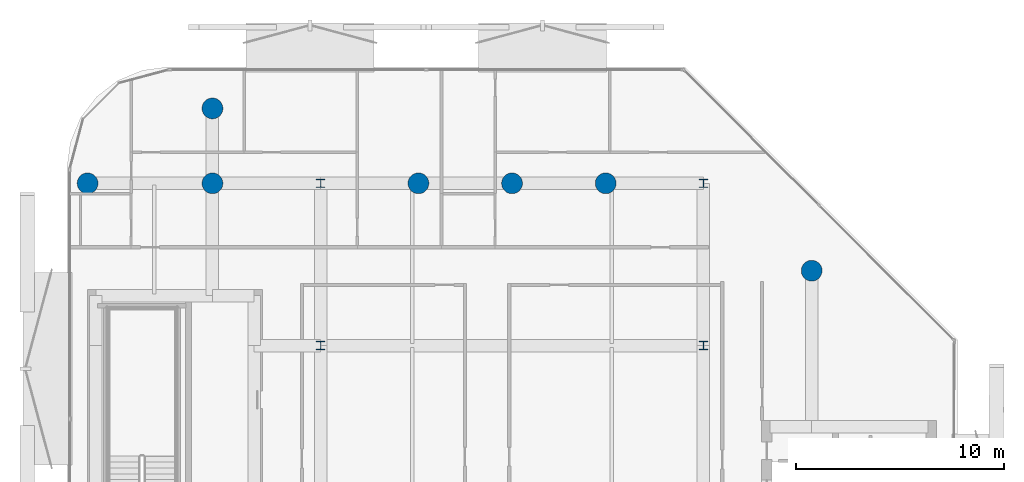
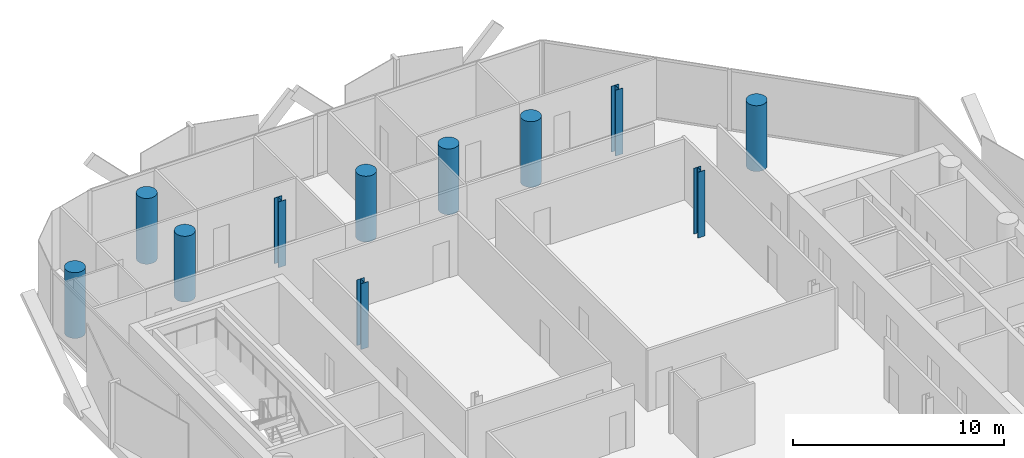
# One storey, part 2 of 16: 11 columns.
"""IFC4 building model written with IfcOpenShell, lengths in metres."""

from ifc_helpers import new_model, si_unit, direction, frame, origin, origin_2d, place, context, subcontext, project, spatial, circle, i_section, extrude, material, material_profile, profile_set, type_object, element, save


model = new_model("IFC4")

# Units and contexts
model_context = context("Model", 3, precision=1e-05, world=origin(), true_north=direction((0.0, 1.0)))
body_context = subcontext(model_context, "Body", "Model", "MODEL_VIEW")
ifc_project = project(units=[si_unit("LENGTHUNIT", "METRE"), si_unit("AREAUNIT", "SQUARE_METRE"), si_unit("VOLUMEUNIT", "CUBIC_METRE"), si_unit("PLANEANGLEUNIT", "RADIAN"), si_unit("MASSUNIT", "GRAM", prefix="KILO")], contexts=[model_context])

# Site, building, storey
site_placement = place(None, origin())
site = spatial("IfcSite", under=ifc_project, at=site_placement, CompositionType="ELEMENT")
building_placement = place(site_placement, origin())
building = spatial("IfcBuilding", under=site, at=building_placement, Name="Khairoan Windgate Tower", CompositionType="ELEMENT")
storey_placement = place(building_placement, frame((0.0, 0.0, 296.60009765625)))
storey = spatial("IfcBuildingStorey", under=building, at=storey_placement, Name="L71", CompositionType="ELEMENT", Elevation=296.60009765625)

# Columns
ifc_material_1 = material(Name="Concrete C60/75", Category="concrete")
ifc_material_profile_1 = material_profile(ifc_material_1, circle(Radius=0.5, at=origin_2d()))
ifc_profile_set_1 = profile_set([ifc_material_profile_1], Name="Concrete C60/75")
column_type_1 = type_object("IfcColumnType", Name="Column C-P1 RC-D1000", PredefinedType="COLUMN", material=ifc_profile_set_1)
for number, where, z_axis, x_axis, name in (
    (1, (-20.39990234375, 18.60009765625, 0.0), (0.0, 0.0, 1.0), (1.0, 0.0, 0.0), "Column L71-11"),
    (2, (-14.39990234375, 18.60009765625, 0.0), (0.0, 0.0, 1.0), (1.0, 0.0, 0.0), "Column L71-14"),
    (3, (14.39990234375, 14.39990234375, 0.0), (0.0, 0.0, 1.0), (1.0, 0.0, 0.0), "Column L71-16"),
    (4, (-4.5, 18.60009765625, 0.0), (0.0, 0.0, 1.0), (1.0, 0.0, 0.0), "Column L71-20"),
    (5, (0.0, 18.60009765625, 0.0), (0.0, 0.0, 1.0), (1.0, 0.0, 0.0), "Column L71-21"),
    (6, (4.5, 18.60009765625, 0.0), (0.0, 0.0, 1.0), (1.0, 0.0, 0.0), "Column L71-22"),
    (7, (-14.39990234375, 22.199951171875, 0.0), (0.0, 0.0, 1.0), (1.0, 0.0, 0.0), "Column L71-28"),
):
    element("IfcColumn", number, at=place(storey_placement, frame(where, z_axis=z_axis, x_axis=x_axis)), inside=storey, type_object=column_type_1, Name=name, PredefinedType="COLUMN", context=body_context, shape_type="SweptSolid", body=[
        extrude(circle(Radius=0.5, at=origin_2d()), origin(), (0.0, 0.0, 1.0), 3.7998046875),
    ])
ifc_material_2 = material(Name="Steel S355", Category="steel")
ifc_material_profile_2 = material_profile(ifc_material_2, i_section(OverallWidth=0.39990234375, OverallDepth=0.39990234375, WebThickness=0.012939453125, FlangeThickness=0.02099609375, FilletRadius=0.02197265625, at=origin_2d()))
ifc_profile_set_2 = profile_set([ifc_material_profile_2], Name="Steel S355")
column_type_2 = type_object("IfcColumnType", Name="Steel Column SC4 H400x400x13x21", PredefinedType="COLUMN", material=ifc_profile_set_2)
for number, where, z_axis, x_axis, name in (
    (8, (-9.199951171875, 10.800048828125, 0.0), (0.0, 0.0, 1.0), (1.0, 0.0, 0.0), "Column L71-04"),
    (9, (-9.199951171875, 18.60009765625, 0.0), (0.0, 0.0, 1.0), (1.0, 0.0, 0.0), "Column L71-05"),
    (10, (9.199951171875, 10.800048828125, 0.0), (0.0, 0.0, 1.0), (1.0, 0.0, 0.0), "Column L71-09"),
    (11, (9.199951171875, 18.60009765625, 0.0), (0.0, 0.0, 1.0), (1.0, 0.0, 0.0), "Column L71-10"),
):
    element("IfcColumn", number, at=place(storey_placement, frame(where, z_axis=z_axis, x_axis=x_axis)), inside=storey, type_object=column_type_2, Name=name, PredefinedType="COLUMN", context=body_context, shape_type="SweptSolid", body=[
        extrude(i_section(OverallWidth=0.39990234375, OverallDepth=0.39990234375, WebThickness=0.012939453125, FlangeThickness=0.02099609375, FilletRadius=0.02197265625, at=origin_2d()), origin(), (0.0, 0.0, 1.0), 3.7998046875),
    ])

save(model, "model.ifc")
